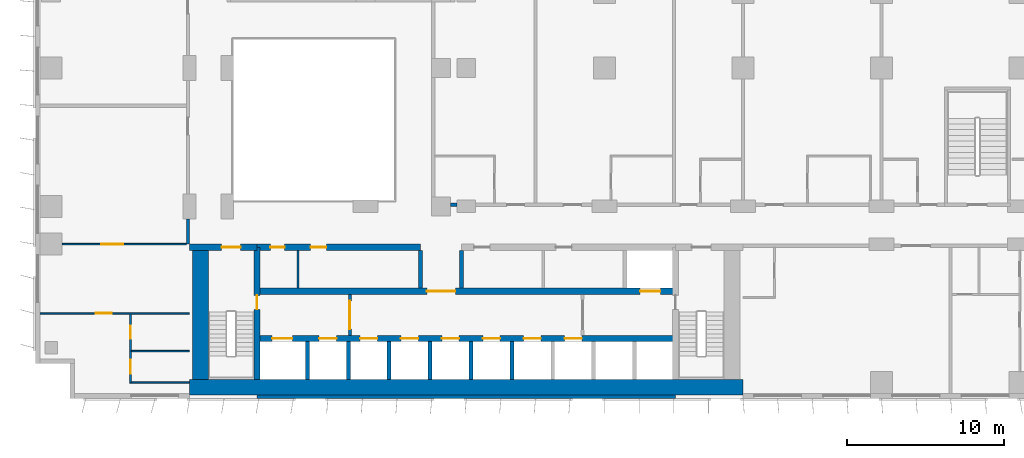
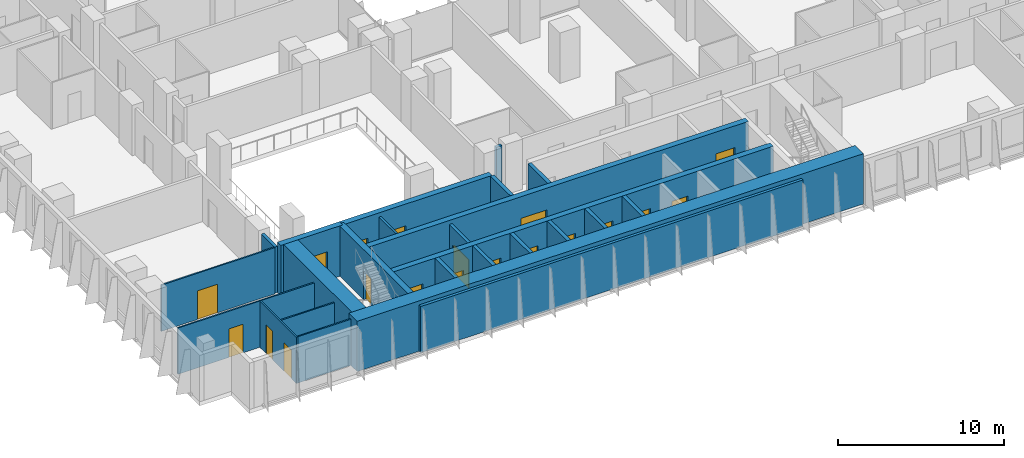
# One storey, part 12 of 24: 25 walls, 19 doors, 19 openings.
"""IFC4 building model written with IfcOpenShell, lengths in metres."""

from ifc_helpers import new_model, si_unit, direction, frame, frame_2d, origin, place, context, subcontext, project, spatial, rectangle, extrude, material, layer, layer_set, type_object, element, fill, save


model = new_model("IFC4")

# Units and contexts
model_context = context("Model", 3, precision=1e-05, world=origin(), true_north=direction((0.0, 1.0)))
body_context = subcontext(model_context, "Body", "Model", "MODEL_VIEW")
ifc_project = project(units=[si_unit("LENGTHUNIT", "METRE"), si_unit("AREAUNIT", "SQUARE_METRE"), si_unit("VOLUMEUNIT", "CUBIC_METRE"), si_unit("PLANEANGLEUNIT", "RADIAN"), si_unit("MASSUNIT", "GRAM", prefix="KILO")], contexts=[model_context])

# Site, building, storey
site_placement = place(None, origin())
site = spatial("IfcSite", under=ifc_project, at=site_placement, CompositionType="ELEMENT")
building_placement = place(site_placement, origin())
building = spatial("IfcBuilding", under=site, at=building_placement, Name="Kemantara Hotel Tower", CompositionType="ELEMENT")
storey_placement = place(building_placement, frame((0.0, 0.0, 76.0)))
storey = spatial("IfcBuildingStorey", under=building, at=storey_placement, Name="L17", CompositionType="ELEMENT", Elevation=76.0)

# Walls
ifc_material_1 = material(Name="Bronze anodised aluminium cladding on insulated steel stud wall", Category="steel")
ifc_layer_1 = layer(ifc_material_1, 0.199951171875)
ifc_layer_set_1 = layer_set([ifc_layer_1], Name="Bronze anodised aluminium cladding on insulated steel stud wall")
wall_type_1 = type_object("IfcWallType", Name="BRONZE METAL-CLAD EXTERNAL WALL 200", PredefinedType="STANDARD", material=ifc_layer_set_1)
wall_1_placement = place(storey_placement, frame((14.10009765625, 0.10009765625, 0.0), z_axis=(0.0, 0.0, 1.0), x_axis=(1.0, 0.0, 0.0)))
element("IfcWall", 1, at=wall_1_placement, inside=storey, type_object=wall_type_1, Name="EXTERNAL WALL L17 T1-R01-2", PredefinedType="STANDARD", context=body_context, shape_type="SweptSolid", body=[
    extrude(rectangle(XDim=26.599853515625, YDim=0.199951171875, at=frame_2d((13.2998046875, 0.0))), origin(), (0.0, 0.0, 1.0), 3.39990234375),
])
ifc_material_2 = material(Name="Concrete fc 70 MPa", Category="concrete")
ifc_layer_2 = layer(ifc_material_2, 1.0)
ifc_layer_set_2 = layer_set([ifc_layer_2], Name="Concrete fc 70 MPa")
wall_type_2 = type_object("IfcWallType", Name="CORE WALL 1000 FC70", PredefinedType="SHEAR", material=ifc_layer_set_2)
wall_2_placement = place(storey_placement, frame((9.800048828125, 0.699951171875, 0.0), z_axis=(0.0, 0.0, 1.0), x_axis=(1.0, 0.0, 0.0)))
element("IfcWall", 2, at=wall_2_placement, inside=storey, type_object=wall_type_2, Name="CORE WALL CW-S", PredefinedType="SHEAR", context=body_context, shape_type="SweptSolid", body=[
    extrude(rectangle(XDim=35.199951171875, YDim=1.0, at=frame_2d((17.60009765625, 0.0))), origin(), (0.0, 0.0, 1.0), 3.699951171875),
])
wall_3_placement = place(storey_placement, frame((10.5, 1.199951171875, 0.0), z_axis=(0.0, 0.0, 1.0), x_axis=(0.0, 1.0, 0.0)))
element("IfcWall", 3, at=wall_3_placement, inside=storey, type_object=wall_type_2, Name="CORE WALL CW-W", PredefinedType="SHEAR", context=body_context, shape_type="SweptSolid", body=[
    extrude(rectangle(XDim=8.60009765625, YDim=1.0, at=frame_2d((4.300048828125, 0.0))), origin(), (0.0, 0.0, 1.0), 3.699951171875),
])
ifc_layer_3 = layer(ifc_material_2, 0.25)
ifc_layer_set_3 = layer_set([ifc_layer_3], Name="Concrete fc 70 MPa")
wall_type_3 = type_object("IfcWallType", Name="CORE WALL 250 FC70", PredefinedType="SHEAR", material=ifc_layer_set_3)
for number, where, z_axis, x_axis, name in (
    (4, (17.300048828125, 1.199951171875, 0.0), (0.0, 0.0, 1.0), (0.0, 1.0, 0.0), "CORE WALL CW-DS17.3"),
    (5, (19.89990234375, 1.199951171875, 0.0), (0.0, 0.0, 1.0), (0.0, 1.0, 0.0), "CORE WALL CW-DS19.9"),
    (6, (22.5, 1.199951171875, 0.0), (0.0, 0.0, 1.0), (0.0, 1.0, 0.0), "CORE WALL CW-DS22.5"),
    (7, (25.10009765625, 1.199951171875, 0.0), (0.0, 0.0, 1.0), (0.0, 1.0, 0.0), "CORE WALL CW-DS25.1"),
    (8, (27.699951171875, 1.199951171875, 0.0), (0.0, 0.0, 1.0), (0.0, 1.0, 0.0), "CORE WALL CW-DS27.7"),
    (9, (30.300048828125, 1.199951171875, 0.0), (0.0, 0.0, 1.0), (0.0, 1.0, 0.0), "CORE WALL CW-DS30.3"),
):
    element("IfcWall", number, at=place(storey_placement, frame(where, z_axis=z_axis, x_axis=x_axis)), inside=storey, type_object=wall_type_3, Name=name, PredefinedType="SHEAR", context=body_context, shape_type="SweptSolid", body=[
        extrude(rectangle(XDim=2.400146484375, YDim=0.25, at=frame_2d((1.2001953125, 0.0))), origin(), (0.0, 0.0, 1.0), 3.699951171875),
    ])
for number, where, z_axis, x_axis, name in (
    (10, (24.5, 7.0, 0.0), (0.0, 0.0, 1.0), (0.0, 1.0, 0.0), "CORE WALL CW-DN24.5"),
    (11, (27.10009765625, 7.0, 0.0), (0.0, 0.0, 1.0), (0.0, 1.0, 0.0), "CORE WALL CW-DN27.1"),
):
    element("IfcWall", number, at=place(storey_placement, frame(where, z_axis=z_axis, x_axis=x_axis)), inside=storey, type_object=wall_type_3, Name=name, PredefinedType="SHEAR", context=body_context, shape_type="SweptSolid", body=[
        extrude(rectangle(XDim=2.39990234375, YDim=0.25, at=frame_2d((1.199951171875, 0.0))), origin(), (0.0, 0.0, 1.0), 3.699951171875),
    ])

# Wall, opening, door
ifc_layer_4 = layer(ifc_material_2, 0.39990234375)
ifc_layer_set_4 = layer_set([ifc_layer_4], Name="Concrete fc 70 MPa")
wall_type_4 = type_object("IfcWallType", Name="CORE WALL 400 FC70", PredefinedType="SHEAR", material=ifc_layer_set_4)
wall_4_placement = place(storey_placement, frame((9.800048828125, 9.60009765625, 0.0), z_axis=(0.0, 0.0, 1.0), x_axis=(1.0, 0.0, 0.0)))
wall_4 = element("IfcWall", 12, at=wall_4_placement, inside=storey, type_object=wall_type_4, Name="CORE WALL CW-N1", PredefinedType="SHEAR", context=body_context, shape_type="SweptSolid", body=[
    extrude(rectangle(XDim=4.300048828125, YDim=0.39990234375, at=frame_2d((2.14990234375, 0.0))), origin(), (0.0, 0.0, 1.0), 3.699951171875),
])
opening_1_placement = place(wall_4_placement, frame((2.050048828125, 0.0, 0.0)))
opening_1 = element("IfcOpeningElement", 13, at=opening_1_placement, cuts=wall_4, Name="Opening C13-ST1-C", PredefinedType="OPENING", context=body_context, shape_type="SweptSolid", body=[
    extrude(rectangle(XDim=1.199951171875, YDim=2.10009765625, at=frame_2d((0.60009765625, 1.050048828125))), frame((0.0, 0.2099609375, 0.0), z_axis=(0.0, -1.0, 0.0), x_axis=(1.0, 0.0, 0.0)), (0.0, 0.0, 1.0), 0.419921875),
])
ifc_material_3 = material(Name="Steel fire door", Category="steel")
door_type_1 = type_object("IfcDoorType", Name="Fire door FD90 1200 x 2100", OperationType="NOTDEFINED", PredefinedType="DOOR", material=ifc_material_3)
door_1_placement = place(opening_1_placement, frame((1.199951171875, 0.0, 0.0), z_axis=(0.0, 0.0, 1.0), x_axis=(-1.0, 0.0, 0.0)))
door_1 = element("IfcDoor", 14, at=door_1_placement, inside=storey, type_object=door_type_1, Name="Stair ST1 door to corridor", OperationType="SINGLE_SWING_LEFT", OverallHeight=2.10009765625, OverallWidth=1.199951171875, PredefinedType="DOOR", context=body_context, shape_type="SweptSolid", body=[
    extrude(rectangle(XDim=1.199951171875, YDim=2.10009765625, at=frame_2d((0.60009765625, 1.050048828125))), frame((0.0, 0.02490234375, 0.0), z_axis=(0.0, -1.0, 0.0), x_axis=(1.0, 0.0, 0.0)), (0.0, 0.0, 1.0), 0.050048828125),
])
fill(opening_1, door_1)

# Wall, openings, doors
wall_5_placement = place(storey_placement, frame((14.10009765625, 9.60009765625, 0.0), z_axis=(0.0, 0.0, 1.0), x_axis=(1.0, 0.0, 0.0)))
wall_5 = element("IfcWall", 15, at=wall_5_placement, inside=storey, type_object=wall_type_4, Name="CORE WALL CW-NN1", PredefinedType="SHEAR", context=body_context, shape_type="SweptSolid", body=[
    extrude(rectangle(XDim=10.39990234375, YDim=0.39990234375, at=frame_2d((5.199951171875, 0.0))), origin(), (0.0, 0.0, 1.0), 3.699951171875),
])
opening_2_placement = place(wall_5_placement, frame((0.85009765625, 0.0, 0.0)))
opening_2 = element("IfcOpeningElement", 16, at=opening_2_placement, cuts=wall_5, Name="Opening C13-R-NW1", PredefinedType="OPENING", context=body_context, shape_type="SweptSolid", body=[
    extrude(rectangle(XDim=0.89990234375, YDim=2.10009765625, at=frame_2d((0.449951171875, 1.050048828125))), frame((0.0, 0.2099609375, 0.0), z_axis=(0.0, -1.0, 0.0), x_axis=(1.0, 0.0, 0.0)), (0.0, 0.0, 1.0), 0.419921875),
])
opening_3_placement = place(wall_5_placement, frame((3.39990234375, 0.0, 0.0)))
opening_3 = element("IfcOpeningElement", 17, at=opening_3_placement, cuts=wall_5, Name="Opening C13-R-NW2", PredefinedType="OPENING", context=body_context, shape_type="SweptSolid", body=[
    extrude(rectangle(XDim=1.0, YDim=2.10009765625, at=frame_2d((0.5, 1.050048828125))), frame((0.0, 0.2099609375, 0.0), z_axis=(0.0, -1.0, 0.0), x_axis=(1.0, 0.0, 0.0)), (0.0, 0.0, 1.0), 0.419921875),
])
door_type_2 = type_object("IfcDoorType", Name="Fire door FD30S 1000 x 2100", OperationType="NOTDEFINED", PredefinedType="DOOR", material=ifc_material_3)
door_2_placement = place(opening_3_placement, frame((1.0, 0.0, 0.0), z_axis=(0.0, 0.0, 1.0), x_axis=(-1.0, 0.0, 0.0)))
door_2 = element("IfcDoor", 18, at=door_2_placement, inside=storey, type_object=door_type_2, Name="Housekeeping Store door", OperationType="SINGLE_SWING_RIGHT", OverallHeight=2.10009765625, OverallWidth=1.0, PredefinedType="DOOR", context=body_context, shape_type="SweptSolid", body=[
    extrude(rectangle(XDim=1.0, YDim=2.10009765625, at=frame_2d((0.5, 1.050048828125))), frame((0.0, 0.02490234375, 0.0), z_axis=(0.0, -1.0, 0.0), x_axis=(1.0, 0.0, 0.0)), (0.0, 0.0, 1.0), 0.050048828125),
])
fill(opening_3, door_2)
door_type_3 = type_object("IfcDoorType", Name="Fire door FD30S 900 x 2100", OperationType="NOTDEFINED", PredefinedType="DOOR", material=ifc_material_3)
door_3_placement = place(opening_2_placement, frame((0.89990234375, 0.0, 0.0), z_axis=(0.0, 0.0, 1.0), x_axis=(-1.0, 0.0, 0.0)))
door_3 = element("IfcDoor", 19, at=door_3_placement, inside=storey, type_object=door_type_3, Name="Staff Wc door", OperationType="SINGLE_SWING_RIGHT", OverallHeight=2.10009765625, OverallWidth=0.89990234375, PredefinedType="DOOR", context=body_context, shape_type="SweptSolid", body=[
    extrude(rectangle(XDim=0.89990234375, YDim=2.10009765625, at=frame_2d((0.449951171875, 1.050048828125))), frame((0.0, 0.02490234375, 0.0), z_axis=(0.0, -1.0, 0.0), x_axis=(1.0, 0.0, 0.0)), (0.0, 0.0, 1.0), 0.050048828125),
])
fill(opening_2, door_3)

wall_6_placement = place(storey_placement, frame((14.10009765625, 3.800048828125, 0.0), z_axis=(0.0, 0.0, 1.0), x_axis=(1.0, 0.0, 0.0)))
wall_6 = element("IfcWall", 20, at=wall_6_placement, inside=storey, type_object=wall_type_4, Name="CORE WALL CW-L1", PredefinedType="SHEAR", context=body_context, shape_type="SweptSolid", body=[
    extrude(rectangle(XDim=26.599853515625, YDim=0.39990234375, at=frame_2d((13.2998046875, 0.0))), origin(), (0.0, 0.0, 1.0), 3.699951171875),
])
opening_4_placement = place(wall_6_placement, frame((0.949951171875, 0.0, 0.0)))
opening_4 = element("IfcOpeningElement", 21, at=opening_4_placement, cuts=wall_6, Name="Opening C13-LD-FF1", PredefinedType="OPENING", context=body_context, shape_type="SweptSolid", body=[
    extrude(rectangle(XDim=1.300048828125, YDim=2.10009765625, at=frame_2d((0.64990234375, 1.050048828125))), frame((0.0, 0.2099609375, 0.0), z_axis=(0.0, -1.0, 0.0), x_axis=(1.0, 0.0, 0.0)), (0.0, 0.0, 1.0), 0.419921875),
])
opening_5_placement = place(wall_6_placement, frame((3.949951171875, 0.0, 0.0)))
opening_5 = element("IfcOpeningElement", 22, at=opening_5_placement, cuts=wall_6, Name="Opening C13-LD-SV1", PredefinedType="OPENING", context=body_context, shape_type="SweptSolid", body=[
    extrude(rectangle(XDim=1.10009765625, YDim=2.10009765625, at=frame_2d((0.550048828125, 1.050048828125))), frame((0.0, 0.2099609375, 0.0), z_axis=(0.0, -1.0, 0.0), x_axis=(1.0, 0.0, 0.0)), (0.0, 0.0, 1.0), 0.419921875),
])
opening_6_placement = place(wall_6_placement, frame((6.550048828125, 0.0, 0.0)))
opening_6 = element("IfcOpeningElement", 23, at=opening_6_placement, cuts=wall_6, Name="Opening C13-LD-SV2", PredefinedType="OPENING", context=body_context, shape_type="SweptSolid", body=[
    extrude(rectangle(XDim=1.10009765625, YDim=2.10009765625, at=frame_2d((0.550048828125, 1.050048828125))), frame((0.0, 0.2099609375, 0.0), z_axis=(0.0, -1.0, 0.0), x_axis=(1.0, 0.0, 0.0)), (0.0, 0.0, 1.0), 0.419921875),
])
opening_7_placement = place(wall_6_placement, frame((9.14990234375, 0.0, 0.0)))
opening_7 = element("IfcOpeningElement", 24, at=opening_7_placement, cuts=wall_6, Name="Opening C13-LD-SV3", PredefinedType="OPENING", context=body_context, shape_type="SweptSolid", body=[
    extrude(rectangle(XDim=1.10009765625, YDim=2.10009765625, at=frame_2d((0.550048828125, 1.050048828125))), frame((0.0, 0.2099609375, 0.0), z_axis=(0.0, -1.0, 0.0), x_axis=(1.0, 0.0, 0.0)), (0.0, 0.0, 1.0), 0.419921875),
])
opening_8_placement = place(wall_6_placement, frame((11.75, 0.0, 0.0)))
opening_8 = element("IfcOpeningElement", 25, at=opening_8_placement, cuts=wall_6, Name="Opening C13-LD-LR1", PredefinedType="OPENING", context=body_context, shape_type="SweptSolid", body=[
    extrude(rectangle(XDim=1.10009765625, YDim=2.10009765625, at=frame_2d((0.550048828125, 1.050048828125))), frame((0.0, 0.2099609375, 0.0), z_axis=(0.0, -1.0, 0.0), x_axis=(1.0, 0.0, 0.0)), (0.0, 0.0, 1.0), 0.419921875),
])
opening_9_placement = place(wall_6_placement, frame((14.35009765625, 0.0, 0.0)))
opening_9 = element("IfcOpeningElement", 26, at=opening_9_placement, cuts=wall_6, Name="Opening C13-LD-LR2", PredefinedType="OPENING", context=body_context, shape_type="SweptSolid", body=[
    extrude(rectangle(XDim=1.10009765625, YDim=2.10009765625, at=frame_2d((0.550048828125, 1.050048828125))), frame((0.0, 0.2099609375, 0.0), z_axis=(0.0, -1.0, 0.0), x_axis=(1.0, 0.0, 0.0)), (0.0, 0.0, 1.0), 0.419921875),
])
opening_10_placement = place(wall_6_placement, frame((16.949951171875, 0.0, 0.0)))
opening_10 = element("IfcOpeningElement", 27, at=opening_10_placement, cuts=wall_6, Name="Opening C13-LD-LR3", PredefinedType="OPENING", context=body_context, shape_type="SweptSolid", body=[
    extrude(rectangle(XDim=1.10009765625, YDim=2.10009765625, at=frame_2d((0.550048828125, 1.050048828125))), frame((0.0, 0.2099609375, 0.0), z_axis=(0.0, -1.0, 0.0), x_axis=(1.0, 0.0, 0.0)), (0.0, 0.0, 1.0), 0.419921875),
])
opening_11_placement = place(wall_6_placement, frame((19.550048828125, 0.0, 0.0)))
opening_11 = element("IfcOpeningElement", 28, at=opening_11_placement, cuts=wall_6, Name="Opening C13-LD-LR4", PredefinedType="OPENING", context=body_context, shape_type="SweptSolid", body=[
    extrude(rectangle(XDim=1.10009765625, YDim=2.10009765625, at=frame_2d((0.550048828125, 1.050048828125))), frame((0.0, 0.2099609375, 0.0), z_axis=(0.0, -1.0, 0.0), x_axis=(1.0, 0.0, 0.0)), (0.0, 0.0, 1.0), 0.419921875),
])
ifc_material_4 = material(Name="Stainless steel lift door", Category="steel")
door_type_4 = type_object("IfcDoorType", Name="Lift landing door 1100 x 2100 FD60", OperationType="DOUBLE_DOOR_SLIDING", PredefinedType="DOOR", material=ifc_material_4)
door_4_placement = place(opening_5_placement, origin())
door_4 = element("IfcDoor", 29, at=door_4_placement, inside=storey, type_object=door_type_4, Name="Lift SV1 landing door", OperationType="DOUBLE_DOOR_SLIDING", OverallHeight=2.10009765625, OverallWidth=1.10009765625, PredefinedType="DOOR", context=body_context, shape_type="SweptSolid", body=[
    extrude(rectangle(XDim=1.10009765625, YDim=2.10009765625, at=frame_2d((0.550048828125, 1.050048828125))), frame((0.0, 0.02490234375, 0.0), z_axis=(0.0, -1.0, 0.0), x_axis=(1.0, 0.0, 0.0)), (0.0, 0.0, 1.0), 0.050048828125),
])
fill(opening_5, door_4)
door_5_placement = place(opening_6_placement, origin())
door_5 = element("IfcDoor", 30, at=door_5_placement, inside=storey, type_object=door_type_4, Name="Lift SV2 landing door", OperationType="DOUBLE_DOOR_SLIDING", OverallHeight=2.10009765625, OverallWidth=1.10009765625, PredefinedType="DOOR", context=body_context, shape_type="SweptSolid", body=[
    extrude(rectangle(XDim=1.10009765625, YDim=2.10009765625, at=frame_2d((0.550048828125, 1.050048828125))), frame((0.0, 0.02490234375, 0.0), z_axis=(0.0, -1.0, 0.0), x_axis=(1.0, 0.0, 0.0)), (0.0, 0.0, 1.0), 0.050048828125),
])
fill(opening_6, door_5)
door_6_placement = place(opening_7_placement, origin())
door_6 = element("IfcDoor", 31, at=door_6_placement, inside=storey, type_object=door_type_4, Name="Lift SV3 landing door", OperationType="DOUBLE_DOOR_SLIDING", OverallHeight=2.10009765625, OverallWidth=1.10009765625, PredefinedType="DOOR", context=body_context, shape_type="SweptSolid", body=[
    extrude(rectangle(XDim=1.10009765625, YDim=2.10009765625, at=frame_2d((0.550048828125, 1.050048828125))), frame((0.0, 0.02490234375, 0.0), z_axis=(0.0, -1.0, 0.0), x_axis=(1.0, 0.0, 0.0)), (0.0, 0.0, 1.0), 0.050048828125),
])
fill(opening_7, door_6)
door_7_placement = place(opening_8_placement, origin())
door_7 = element("IfcDoor", 32, at=door_7_placement, inside=storey, type_object=door_type_4, Name="Lift LR1 landing door", OperationType="DOUBLE_DOOR_SLIDING", OverallHeight=2.10009765625, OverallWidth=1.10009765625, PredefinedType="DOOR", context=body_context, shape_type="SweptSolid", body=[
    extrude(rectangle(XDim=1.10009765625, YDim=2.10009765625, at=frame_2d((0.550048828125, 1.050048828125))), frame((0.0, 0.02490234375, 0.0), z_axis=(0.0, -1.0, 0.0), x_axis=(1.0, 0.0, 0.0)), (0.0, 0.0, 1.0), 0.050048828125),
])
fill(opening_8, door_7)
door_8_placement = place(opening_9_placement, origin())
door_8 = element("IfcDoor", 33, at=door_8_placement, inside=storey, type_object=door_type_4, Name="Lift LR2 landing door", OperationType="DOUBLE_DOOR_SLIDING", OverallHeight=2.10009765625, OverallWidth=1.10009765625, PredefinedType="DOOR", context=body_context, shape_type="SweptSolid", body=[
    extrude(rectangle(XDim=1.10009765625, YDim=2.10009765625, at=frame_2d((0.550048828125, 1.050048828125))), frame((0.0, 0.02490234375, 0.0), z_axis=(0.0, -1.0, 0.0), x_axis=(1.0, 0.0, 0.0)), (0.0, 0.0, 1.0), 0.050048828125),
])
fill(opening_9, door_8)
door_9_placement = place(opening_10_placement, origin())
door_9 = element("IfcDoor", 34, at=door_9_placement, inside=storey, type_object=door_type_4, Name="Lift LR3 landing door", OperationType="DOUBLE_DOOR_SLIDING", OverallHeight=2.10009765625, OverallWidth=1.10009765625, PredefinedType="DOOR", context=body_context, shape_type="SweptSolid", body=[
    extrude(rectangle(XDim=1.10009765625, YDim=2.10009765625, at=frame_2d((0.550048828125, 1.050048828125))), frame((0.0, 0.02490234375, 0.0), z_axis=(0.0, -1.0, 0.0), x_axis=(1.0, 0.0, 0.0)), (0.0, 0.0, 1.0), 0.050048828125),
])
fill(opening_10, door_9)
door_10_placement = place(opening_11_placement, origin())
door_10 = element("IfcDoor", 35, at=door_10_placement, inside=storey, type_object=door_type_4, Name="Lift LR4 landing door", OperationType="DOUBLE_DOOR_SLIDING", OverallHeight=2.10009765625, OverallWidth=1.10009765625, PredefinedType="DOOR", context=body_context, shape_type="SweptSolid", body=[
    extrude(rectangle(XDim=1.10009765625, YDim=2.10009765625, at=frame_2d((0.550048828125, 1.050048828125))), frame((0.0, 0.02490234375, 0.0), z_axis=(0.0, -1.0, 0.0), x_axis=(1.0, 0.0, 0.0)), (0.0, 0.0, 1.0), 0.050048828125),
])
fill(opening_11, door_10)
door_type_5 = type_object("IfcDoorType", Name="Lift landing door 1300 x 2100 FD90", OperationType="DOUBLE_DOOR_SLIDING", PredefinedType="DOOR", material=ifc_material_4)
door_11_placement = place(opening_4_placement, origin())
door_11 = element("IfcDoor", 36, at=door_11_placement, inside=storey, type_object=door_type_5, Name="Lift FF1 landing door", OperationType="DOUBLE_DOOR_SLIDING", OverallHeight=2.10009765625, OverallWidth=1.300048828125, PredefinedType="DOOR", context=body_context, shape_type="SweptSolid", body=[
    extrude(rectangle(XDim=1.300048828125, YDim=2.10009765625, at=frame_2d((0.64990234375, 1.050048828125))), frame((0.0, 0.02490234375, 0.0), z_axis=(0.0, -1.0, 0.0), x_axis=(1.0, 0.0, 0.0)), (0.0, 0.0, 1.0), 0.050048828125),
])
fill(opening_4, door_11)

wall_7_placement = place(storey_placement, frame((14.10009765625, 6.800048828125, 0.0), z_axis=(0.0, 0.0, 1.0), x_axis=(1.0, 0.0, 0.0)))
wall_7 = element("IfcWall", 37, at=wall_7_placement, inside=storey, type_object=wall_type_4, Name="CORE WALL CW-L2", PredefinedType="SHEAR", context=body_context, shape_type="SweptSolid", body=[
    extrude(rectangle(XDim=26.599853515625, YDim=0.39990234375, at=frame_2d((13.2998046875, 0.0))), origin(), (0.0, 0.0, 1.0), 3.699951171875),
])
opening_12_placement = place(wall_7_placement, frame((10.800048828125, 0.0, 0.0)))
opening_12 = element("IfcOpeningElement", 38, at=opening_12_placement, cuts=wall_7, Name="Opening C13-VL", PredefinedType="OPENING", context=body_context, shape_type="SweptSolid", body=[
    extrude(rectangle(XDim=1.800048828125, YDim=2.10009765625, at=frame_2d((0.89990234375, 1.050048828125))), frame((0.0, 0.2099609375, 0.0), z_axis=(0.0, -1.0, 0.0), x_axis=(1.0, 0.0, 0.0)), (0.0, 0.0, 1.0), 0.419921875),
])
opening_13_placement = place(wall_7_placement, frame((24.35009765625, 0.0, 0.0)))
opening_13 = element("IfcOpeningElement", 39, at=opening_13_placement, cuts=wall_7, Name="Opening C13-LD-FF2", PredefinedType="OPENING", context=body_context, shape_type="SweptSolid", body=[
    extrude(rectangle(XDim=1.300048828125, YDim=2.10009765625, at=frame_2d((0.64990234375, 1.050048828125))), frame((0.0, 0.2099609375, 0.0), z_axis=(0.0, -1.0, 0.0), x_axis=(1.0, 0.0, 0.0)), (0.0, 0.0, 1.0), 0.419921875),
])
door_type_6 = type_object("IfcDoorType", Name="Fire door pair FD60 1800 x 2100", OperationType="DOUBLE_DOOR_SINGLE_SWING", PredefinedType="DOOR", material=ifc_material_3)
door_12_placement = place(opening_12_placement, frame((1.800048828125, 0.0, 0.0), z_axis=(0.0, 0.0, 1.0), x_axis=(-1.0, 0.0, 0.0)))
door_12 = element("IfcDoor", 40, at=door_12_placement, inside=storey, type_object=door_type_6, Name="Lift lobby entry door", OperationType="DOUBLE_DOOR_SINGLE_SWING", OverallHeight=2.10009765625, OverallWidth=1.800048828125, PredefinedType="DOOR", context=body_context, shape_type="SweptSolid", body=[
    extrude(rectangle(XDim=1.800048828125, YDim=2.10009765625, at=frame_2d((0.89990234375, 1.050048828125))), frame((0.0, 0.02490234375, 0.0), z_axis=(0.0, -1.0, 0.0), x_axis=(1.0, 0.0, 0.0)), (0.0, 0.0, 1.0), 0.050048828125),
])
fill(opening_12, door_12)
door_13_placement = place(opening_13_placement, origin())
door_13 = element("IfcDoor", 41, at=door_13_placement, inside=storey, type_object=door_type_5, Name="Lift FF2 landing door", OperationType="DOUBLE_DOOR_SLIDING", OverallHeight=2.10009765625, OverallWidth=1.300048828125, PredefinedType="DOOR", context=body_context, shape_type="SweptSolid", body=[
    extrude(rectangle(XDim=1.300048828125, YDim=2.10009765625, at=frame_2d((0.64990234375, 1.050048828125))), frame((0.0, 0.02490234375, 0.0), z_axis=(0.0, -1.0, 0.0), x_axis=(1.0, 0.0, 0.0)), (0.0, 0.0, 1.0), 0.050048828125),
])
fill(opening_13, door_13)

# Wall, opening, door
wall_8_placement = place(storey_placement, frame((14.10009765625, 1.199951171875, 0.0), z_axis=(0.0, 0.0, 1.0), x_axis=(0.0, 1.0, 0.0)))
wall_8 = element("IfcWall", 42, at=wall_8_placement, inside=storey, type_object=wall_type_4, Name="CORE WALL CW-ST1E", PredefinedType="SHEAR", context=body_context, shape_type="SweptSolid", body=[
    extrude(rectangle(XDim=8.400146484375, YDim=0.39990234375, at=frame_2d((4.2001953125, 0.0))), origin(), (0.0, 0.0, 1.0), 3.699951171875),
])
opening_14_placement = place(wall_8_placement, frame((4.449951171875, 0.0, 0.0)))
opening_14 = element("IfcOpeningElement", 43, at=opening_14_placement, cuts=wall_8, Name="Opening C13-ST1-F", PredefinedType="OPENING", context=body_context, shape_type="SweptSolid", body=[
    extrude(rectangle(XDim=0.89990234375, YDim=2.10009765625, at=frame_2d((0.449951171875, 1.050048828125))), frame((0.0, 0.2099609375, 0.0), z_axis=(0.0, -1.0, 0.0), x_axis=(1.0, 0.0, 0.0)), (0.0, 0.0, 1.0), 0.419921875),
])
door_type_7 = type_object("IfcDoorType", Name="Fire door FD90 900 x 2100", OperationType="NOTDEFINED", PredefinedType="DOOR", material=ifc_material_3)
door_14_placement = place(opening_14_placement, origin())
door_14 = element("IfcDoor", 44, at=door_14_placement, inside=storey, type_object=door_type_7, Name="Stair ST1 door to firefighting lobby", OperationType="SINGLE_SWING_RIGHT", OverallHeight=2.10009765625, OverallWidth=0.89990234375, PredefinedType="DOOR", context=body_context, shape_type="SweptSolid", body=[
    extrude(rectangle(XDim=0.89990234375, YDim=2.10009765625, at=frame_2d((0.449951171875, 1.050048828125))), frame((0.0, 0.02490234375, 0.0), z_axis=(0.0, -1.0, 0.0), x_axis=(1.0, 0.0, 0.0)), (0.0, 0.0, 1.0), 0.050048828125),
])
fill(opening_14, door_14)

# Walls
ifc_material_5 = material(Name="Gypsum board partition, steel studs and mineral wool, 200 mm", Category="steel")
ifc_layer_5 = layer(ifc_material_5, 0.199951171875)
ifc_layer_set_5 = layer_set([ifc_layer_5], Name="Gypsum board partition, steel studs and mineral wool, 200 mm")
wall_type_5 = type_object("IfcWallType", Name="CORRIDOR WALL 200", PredefinedType="PARTITIONING", material=ifc_layer_set_5)
wall_9_placement = place(storey_placement, frame((26.400146484375, 12.300048828125, 0.0), z_axis=(0.0, 0.0, 1.0), x_axis=(1.0, 0.0, 0.0)))
element("IfcWall", 45, at=wall_9_placement, inside=storey, type_object=wall_type_5, Name="CORRIDOR WALL 200 009", PredefinedType="PARTITIONING", context=body_context, shape_type="SweptSolid", body=[
    extrude(rectangle(XDim=0.399658203125, YDim=0.199951171875, at=frame_2d((0.19970703125, 0.0))), origin(), (0.0, 0.0, 1.0), 3.39990234375),
])
wall_10_placement = place(storey_placement, frame((9.699951171875, 9.800048828125, 0.0), z_axis=(0.0, 0.0, 1.0), x_axis=(0.0, 1.0, 0.0)))
element("IfcWall", 46, at=wall_10_placement, inside=storey, type_object=wall_type_5, Name="CORRIDOR WALL 200 025", PredefinedType="PARTITIONING", context=body_context, shape_type="SweptSolid", body=[
    extrude(rectangle(XDim=1.599853515625, YDim=0.199951171875, at=frame_2d((0.7998046875, 0.0))), origin(), (0.0, 0.0, 1.0), 3.39990234375),
])
ifc_material_6 = material(Name="Gypsum board partition")
ifc_layer_6 = layer(ifc_material_6, 0.14990234375)
ifc_layer_set_6 = layer_set([ifc_layer_6], Name="Gypsum board partition")
wall_type_6 = type_object("IfcWallType", Name="Gypsum board partition 150 mm", PredefinedType="PARTITIONING", material=ifc_layer_set_6)
wall_11_placement = place(storey_placement, frame((16.699951171875, 7.0, 0.0), z_axis=(0.0, 0.0, 1.0), x_axis=(0.0, 1.0, 0.0)))
element("IfcWall", 47, at=wall_11_placement, inside=storey, type_object=wall_type_6, Name="Core room partition", PredefinedType="PARTITIONING", context=body_context, shape_type="SweptSolid", body=[
    extrude(rectangle(XDim=2.39990234375, YDim=0.14990234375, at=frame_2d((1.199951171875, 0.0))), origin(), (0.0, 0.0, 1.0), 3.39990234375),
])

# Wall, opening, door
ifc_material_7 = material(Name="Gypsum board shaft wall")
ifc_layer_7 = layer(ifc_material_7, 0.199951171875)
ifc_layer_set_7 = layer_set([ifc_layer_7], Name="Gypsum board shaft wall")
wall_type_7 = type_object("IfcWallType", Name="Gypsum board shaft wall 200 mm", PredefinedType="PARTITIONING", material=ifc_layer_set_7)
wall_12_placement = place(storey_placement, frame((20.0, 4.0, 0.0), z_axis=(0.0, 0.0, 1.0), x_axis=(0.0, 1.0, 0.0)))
wall_12 = element("IfcWall", 48, at=wall_12_placement, inside=storey, type_object=wall_type_7, Name="Firefighting lobby partition west", PredefinedType="PARTITIONING", context=body_context, shape_type="SweptSolid", body=[
    extrude(rectangle(XDim=2.60009765625, YDim=0.199951171875, at=frame_2d((1.300048828125, 0.0))), origin(), (0.0, 0.0, 1.0), 3.39990234375),
])
opening_15_placement = place(wall_12_placement, frame((0.39990234375, 0.0, 0.0)))
opening_15 = element("IfcOpeningElement", 49, at=opening_15_placement, cuts=wall_12, Name="Opening C13-FFW", PredefinedType="OPENING", context=body_context, shape_type="SweptSolid", body=[
    extrude(rectangle(XDim=1.800048828125, YDim=2.10009765625, at=frame_2d((0.89990234375, 1.050048828125))), frame((0.0, 0.10986328125, 0.0), z_axis=(0.0, -1.0, 0.0), x_axis=(1.0, 0.0, 0.0)), (0.0, 0.0, 1.0), 0.219970703125),
])
door_15_placement = place(opening_15_placement, origin())
door_15 = element("IfcDoor", 50, at=door_15_placement, inside=storey, type_object=door_type_6, Name="Firefighting lobby door west", OperationType="DOUBLE_DOOR_SINGLE_SWING", OverallHeight=2.10009765625, OverallWidth=1.800048828125, PredefinedType="DOOR", context=body_context, shape_type="SweptSolid", body=[
    extrude(rectangle(XDim=1.800048828125, YDim=2.10009765625, at=frame_2d((0.89990234375, 1.050048828125))), frame((0.0, 0.02490234375, 0.0), z_axis=(0.0, -1.0, 0.0), x_axis=(1.0, 0.0, 0.0)), (0.0, 0.0, 1.0), 0.050048828125),
])
fill(opening_15, door_15)

# Wall, openings, doors
ifc_material_8 = material(Name="Gypsum board partition on steel studs, 100 mm", Category="steel")
ifc_layer_8 = layer(ifc_material_8, 0.10009765625)
ifc_layer_set_8 = layer_set([ifc_layer_8], Name="Gypsum board partition on steel studs, 100 mm")
wall_type_8 = type_object("IfcWallType", Name="ROOM PARTITION 100", PredefinedType="PARTITIONING", material=ifc_layer_set_8)
wall_13_placement = place(storey_placement, frame((6.050048828125, 5.35009765625, 0.0), z_axis=(0.0, 0.0, 1.0), x_axis=(0.0, -1.0, 0.0)))
wall_13 = element("IfcWall", 51, at=wall_13_placement, inside=storey, type_object=wall_type_8, Name="ROOM PARTITION 100 085", PredefinedType="PARTITIONING", context=body_context, shape_type="SweptSolid", body=[
    extrude(rectangle(XDim=4.400146484375, YDim=0.10009765625, at=frame_2d((2.2001953125, 0.0))), origin(), (0.0, 0.0, 1.0), 3.39990234375),
])
opening_16_placement = place(wall_13_placement, frame((2.89990234375, 0.0, 0.0)))
opening_16 = element("IfcOpeningElement", 52, at=opening_16_placement, cuts=wall_13, Name="Opening F06-032", PredefinedType="OPENING", context=body_context, shape_type="SweptSolid", body=[
    extrude(rectangle(XDim=0.89990234375, YDim=2.10009765625, at=frame_2d((0.449951171875, 1.050048828125))), frame((0.0, 0.06005859375, 0.0), z_axis=(0.0, -1.0, 0.0), x_axis=(1.0, 0.0, 0.0)), (0.0, 0.0, 1.0), 0.1201171875),
])
opening_17_placement = place(wall_13_placement, frame((0.75, 0.0, 0.0)))
opening_17 = element("IfcOpeningElement", 53, at=opening_17_placement, cuts=wall_13, Name="Opening F06-033", PredefinedType="OPENING", context=body_context, shape_type="SweptSolid", body=[
    extrude(rectangle(XDim=0.800048828125, YDim=2.10009765625, at=frame_2d((0.39990234375, 1.050048828125))), frame((0.0, 0.06005859375, 0.0), z_axis=(0.0, -1.0, 0.0), x_axis=(1.0, 0.0, 0.0)), (0.0, 0.0, 1.0), 0.1201171875),
])
ifc_material_9 = material(Name="Hardwood veneer door leaf with steel frame", Category="steel")
door_type_8 = type_object("IfcDoorType", Name="BATHROOM DOOR 900 X 2100", OperationType="NOTDEFINED", PredefinedType="DOOR", material=ifc_material_9)
door_16_placement = place(opening_16_placement, origin())
door_16 = element("IfcDoor", 54, at=door_16_placement, inside=storey, type_object=door_type_8, Name="BATHROOM DOOR F06-032", OperationType="SINGLE_SWING_LEFT", OverallHeight=2.10009765625, OverallWidth=0.89990234375, PredefinedType="DOOR", context=body_context, shape_type="SweptSolid", body=[
    extrude(rectangle(XDim=0.89990234375, YDim=2.10009765625, at=frame_2d((0.449951171875, 1.050048828125))), frame((0.0, 0.02490234375, 0.0), z_axis=(0.0, -1.0, 0.0), x_axis=(1.0, 0.0, 0.0)), (0.0, 0.0, 1.0), 0.050048828125),
])
fill(opening_16, door_16)
door_type_9 = type_object("IfcDoorType", Name="WARDROBE DOOR 800 X 2100", OperationType="NOTDEFINED", PredefinedType="DOOR", material=ifc_material_9)
door_17_placement = place(opening_17_placement, origin())
door_17 = element("IfcDoor", 55, at=door_17_placement, inside=storey, type_object=door_type_9, Name="WARDROBE DOOR F06-033", OperationType="SINGLE_SWING_LEFT", OverallHeight=2.10009765625, OverallWidth=0.800048828125, PredefinedType="DOOR", context=body_context, shape_type="SweptSolid", body=[
    extrude(rectangle(XDim=0.800048828125, YDim=2.10009765625, at=frame_2d((0.39990234375, 1.050048828125))), frame((0.0, 0.02490234375, 0.0), z_axis=(0.0, -1.0, 0.0), x_axis=(1.0, 0.0, 0.0)), (0.0, 0.0, 1.0), 0.050048828125),
])
fill(opening_17, door_17)

# Wall, opening, door
wall_14_placement = place(storey_placement, frame((9.60009765625, 9.800048828125, 0.0), z_axis=(0.0, 0.0, 1.0), x_axis=(-1.0, 0.0, 0.0)))
wall_14 = element("IfcWall", 56, at=wall_14_placement, inside=storey, type_object=wall_type_8, Name="ROOM PARTITION 100 087", PredefinedType="PARTITIONING", context=body_context, shape_type="SweptSolid", body=[
    extrude(rectangle(XDim=7.89990234375, YDim=0.10009765625, at=frame_2d((3.949951171875, 0.0))), origin(), (0.0, 0.0, 1.0), 3.39990234375),
])
opening_18_placement = place(wall_14_placement, frame((4.0, 0.0, 0.0)))
opening_18 = element("IfcOpeningElement", 57, at=opening_18_placement, cuts=wall_14, Name="Opening F06-030", PredefinedType="OPENING", context=body_context, shape_type="SweptSolid", body=[
    extrude(rectangle(XDim=1.39990234375, YDim=2.10009765625, at=frame_2d((0.699951171875, 1.050048828125))), frame((0.0, 0.06005859375, 0.0), z_axis=(0.0, -1.0, 0.0), x_axis=(1.0, 0.0, 0.0)), (0.0, 0.0, 1.0), 0.1201171875),
])
door_type_10 = type_object("IfcDoorType", Name="INTERNAL DOOR 1400 X 2100", OperationType="NOTDEFINED", PredefinedType="DOOR", material=ifc_material_9)
door_18_placement = place(opening_18_placement, origin())
door_18 = element("IfcDoor", 58, at=door_18_placement, inside=storey, type_object=door_type_10, Name="INTERNAL DOOR F06-030", OperationType="DOUBLE_DOOR_SINGLE_SWING", OverallHeight=2.10009765625, OverallWidth=1.39990234375, PredefinedType="DOOR", context=body_context, shape_type="SweptSolid", body=[
    extrude(rectangle(XDim=1.39990234375, YDim=2.10009765625, at=frame_2d((0.699951171875, 1.050048828125))), frame((0.0, 0.02490234375, 0.0), z_axis=(0.0, -1.0, 0.0), x_axis=(1.0, 0.0, 0.0)), (0.0, 0.0, 1.0), 0.050048828125),
])
fill(opening_18, door_18)

wall_15_placement = place(storey_placement, frame((9.7998046875, 5.39990234375, 0.0), z_axis=(0.0, 0.0, 1.0), x_axis=(-1.0, 0.0, 0.0)))
wall_15 = element("IfcWall", 59, at=wall_15_placement, inside=storey, type_object=wall_type_8, Name="ROOM PARTITION 100 088", PredefinedType="PARTITIONING", context=body_context, shape_type="SweptSolid", body=[
    extrude(rectangle(XDim=9.48974609375, YDim=0.10009765625, at=frame_2d((4.744873046875, 0.0))), origin(), (0.0, 0.0, 1.0), 3.39990234375),
])
opening_19_placement = place(wall_15_placement, frame((4.949951171875, 0.0, 0.0)))
opening_19 = element("IfcOpeningElement", 60, at=opening_19_placement, cuts=wall_15, Name="Opening F06-031", PredefinedType="OPENING", context=body_context, shape_type="SweptSolid", body=[
    extrude(rectangle(XDim=1.0, YDim=2.10009765625, at=frame_2d((0.5, 1.050048828125))), frame((0.0, 0.06005859375, 0.0), z_axis=(0.0, -1.0, 0.0), x_axis=(1.0, 0.0, 0.0)), (0.0, 0.0, 1.0), 0.1201171875),
])
door_type_11 = type_object("IfcDoorType", Name="INTERNAL DOOR 1000 X 2100", OperationType="NOTDEFINED", PredefinedType="DOOR", material=ifc_material_9)
door_19_placement = place(opening_19_placement, origin())
door_19 = element("IfcDoor", 61, at=door_19_placement, inside=storey, type_object=door_type_11, Name="INTERNAL DOOR F06-031", OperationType="SINGLE_SWING_LEFT", OverallHeight=2.10009765625, OverallWidth=1.0, PredefinedType="DOOR", context=body_context, shape_type="SweptSolid", body=[
    extrude(rectangle(XDim=1.0, YDim=2.10009765625, at=frame_2d((0.5, 1.050048828125))), frame((0.0, 0.02490234375, 0.0), z_axis=(0.0, -1.0, 0.0), x_axis=(1.0, 0.0, 0.0)), (0.0, 0.0, 1.0), 0.050048828125),
])
fill(opening_19, door_19)

# Walls
for number, where, z_axis, x_axis, name in (
    (62, (6.10009765625, 1.0, 0.0), (0.0, 0.0, 1.0), (1.0, 0.0, 0.0), "ROOM PARTITION 100 089"),
    (63, (6.10009765625, 3.0, 0.0), (0.0, 0.0, 1.0), (1.0, 0.0, 0.0), "ROOM PARTITION 100 090"),
):
    element("IfcWall", number, at=place(storey_placement, frame(where, z_axis=z_axis, x_axis=x_axis)), inside=storey, type_object=wall_type_8, Name=name, PredefinedType="PARTITIONING", context=body_context, shape_type="SweptSolid", body=[
        extrude(rectangle(XDim=3.69970703125, YDim=0.10009765625, at=frame_2d((1.849853515625, 0.0))), origin(), (0.0, 0.0, 1.0), 3.39990234375),
    ])

save(model, "model.ifc")
